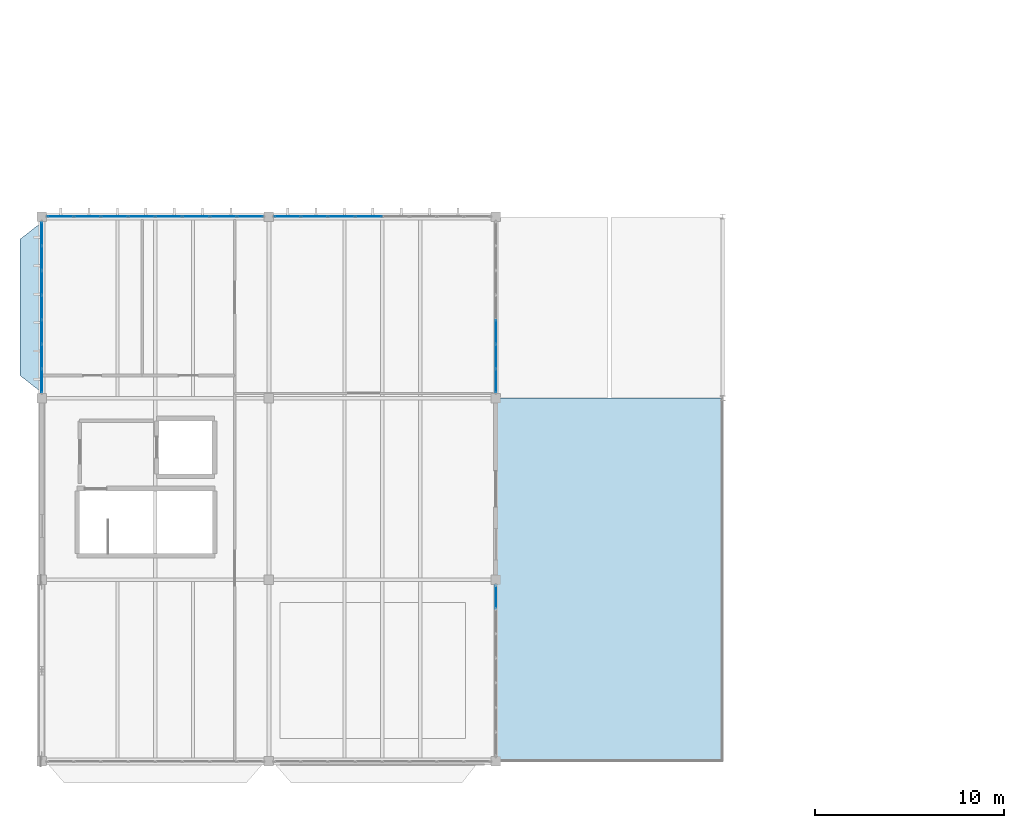
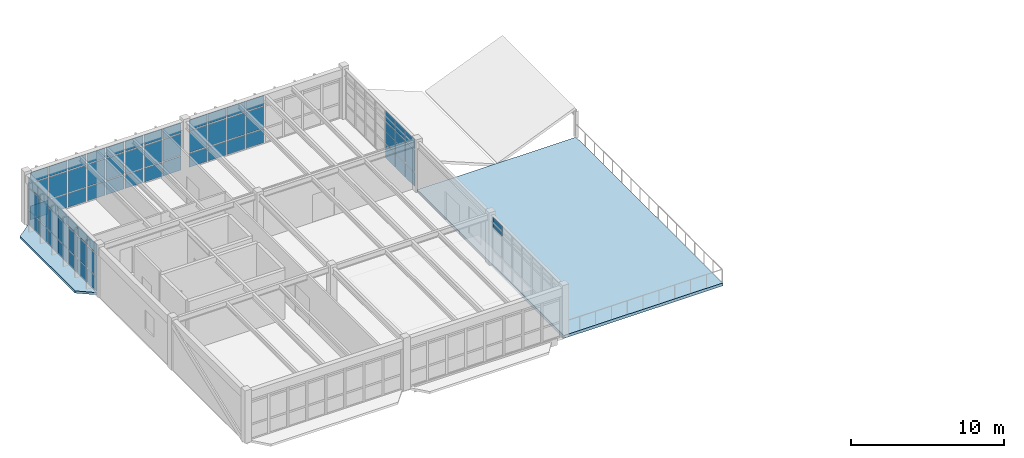
# One storey, part 60 of 83: 67 plates, 2 slabs, 5 elements without a shape of their own.
"""IFC4 building model written with IfcOpenShell, lengths in metres."""

from ifc_helpers import new_model, si_unit, direction, frame, origin, origin_2d, place, context, subcontext, project, spatial, polyline, rectangle, outline, extrude, material, layer, layer_set, type_object, element, aggregate, save


model = new_model("IFC4")

# Units and contexts
model_context = context("Model", 3, precision=1e-05, world=origin(), true_north=direction((0.0, 1.0)))
body_context = subcontext(model_context, "Body", "Model", "MODEL_VIEW")
ifc_project = project(units=[si_unit("LENGTHUNIT", "METRE"), si_unit("AREAUNIT", "SQUARE_METRE"), si_unit("VOLUMEUNIT", "CUBIC_METRE"), si_unit("PLANEANGLEUNIT", "RADIAN"), si_unit("MASSUNIT", "GRAM", prefix="KILO")], contexts=[model_context])

# Site, building, storey
site_placement = place(None, origin())
site = spatial("IfcSite", under=ifc_project, at=site_placement, CompositionType="ELEMENT")
building_placement = place(site_placement, origin())
building = spatial("IfcBuilding", under=site, at=building_placement, Name="Pandanus Reach Market Hall", CompositionType="ELEMENT")
storey_placement = place(building_placement, frame((0.0, 0.0, 10.199951171875)))
storey = spatial("IfcBuildingStorey", under=building, at=storey_placement, Name="L02", CompositionType="ELEMENT", Elevation=10.199951171875)

# Curtain wall, plates
ifc_material_1 = material(Name="Bronze anodised aluminium and low-E glass", Category="aluminium")
ifc_layer_1 = layer(ifc_material_1, 0.159912109375, Name="CW-22")
ifc_layer_set_1 = layer_set([ifc_layer_1], Name="Bronze anodised aluminium and low-E glass")
curtain_wall_type_1 = type_object("IfcCurtainWallType", Name="CW-22", PredefinedType="NOTDEFINED", material=ifc_layer_set_1)
curtain_wall_1_placement = place(storey_placement, origin())
curtain_wall_1 = element("IfcCurtainWall", 1, at=curtain_wall_1_placement, inside=storey, type_object=curtain_wall_type_1, Name="Glazed curtain wall CW-22 CW-0065", PredefinedType="NOTDEFINED")
ifc_material_2 = material(Name="Solar-control double glazing", Category="glass")
ifc_layer_2 = layer(ifc_material_2, 0.028076171875, Name="CW-P1")
ifc_layer_set_2 = layer_set([ifc_layer_2], Name="Solar-control double glazing")
plate_type = type_object("IfcPlateType", Name="CW-P1", PredefinedType="CURTAIN_PANEL", material=ifc_layer_set_2)
plate_1_placement = place(storey_placement, frame((0.985107421875, 28.800048828125, 0.06494140625), z_axis=(0.0, 0.0, 1.0), x_axis=(1.0, 0.0, 0.0)))
plate_1 = element("IfcPlate", 2, at=plate_1_placement, type_object=plate_type, Name="CW-22 panel 1.1", PredefinedType="CURTAIN_PANEL", context=body_context, shape_type="SweptSolid", body=[
    extrude(rectangle(XDim=1.340087890625, YDim=0.028076171875, at=origin_2d()), origin(), (0.0, 0.0, 1.0), 1.1025390625),
])
plate_2_placement = place(storey_placement, frame((0.985107421875, 28.800048828125, 1.232421875), z_axis=(0.0, 0.0, 1.0), x_axis=(1.0, 0.0, 0.0)))
plate_2 = element("IfcPlate", 3, at=plate_2_placement, type_object=plate_type, Name="CW-22 panel 1.2", PredefinedType="CURTAIN_PANEL", context=body_context, shape_type="SweptSolid", body=[
    extrude(rectangle(XDim=1.340087890625, YDim=0.028076171875, at=origin_2d()), origin(), (0.0, 0.0, 1.0), 1.735107421875),
])
plate_3_placement = place(storey_placement, frame((0.985107421875, 28.800048828125, 3.03271484375), z_axis=(0.0, 0.0, 1.0), x_axis=(1.0, 0.0, 0.0)))
plate_3 = element("IfcPlate", 4, at=plate_3_placement, type_object=plate_type, Name="CW-22 panel 1.3", PredefinedType="CURTAIN_PANEL", context=body_context, shape_type="SweptSolid", body=[
    extrude(rectangle(XDim=1.340087890625, YDim=0.028076171875, at=origin_2d()), origin(), (0.0, 0.0, 1.0), 0.802490234375),
])
plate_4_placement = place(storey_placement, frame((2.40625, 28.800048828125, 0.06494140625), z_axis=(0.0, 0.0, 1.0), x_axis=(1.0, 0.0, 0.0)))
plate_4 = element("IfcPlate", 5, at=plate_4_placement, type_object=plate_type, Name="CW-22 panel 2.1", PredefinedType="CURTAIN_PANEL", context=body_context, shape_type="SweptSolid", body=[
    extrude(rectangle(XDim=1.37255859375, YDim=0.028076171875, at=origin_2d()), origin(), (0.0, 0.0, 1.0), 1.1025390625),
])
plate_5_placement = place(storey_placement, frame((2.40625, 28.800048828125, 1.232421875), z_axis=(0.0, 0.0, 1.0), x_axis=(1.0, 0.0, 0.0)))
plate_5 = element("IfcPlate", 6, at=plate_5_placement, type_object=plate_type, Name="CW-22 panel 2.2", PredefinedType="CURTAIN_PANEL", context=body_context, shape_type="SweptSolid", body=[
    extrude(rectangle(XDim=1.37255859375, YDim=0.028076171875, at=origin_2d()), origin(), (0.0, 0.0, 1.0), 1.735107421875),
])
plate_6_placement = place(storey_placement, frame((2.40625, 28.800048828125, 3.03271484375), z_axis=(0.0, 0.0, 1.0), x_axis=(1.0, 0.0, 0.0)))
plate_6 = element("IfcPlate", 7, at=plate_6_placement, type_object=plate_type, Name="CW-22 panel 2.3", PredefinedType="CURTAIN_PANEL", context=body_context, shape_type="SweptSolid", body=[
    extrude(rectangle(XDim=1.37255859375, YDim=0.028076171875, at=origin_2d()), origin(), (0.0, 0.0, 1.0), 0.802490234375),
])
plate_7_placement = place(storey_placement, frame((3.84375, 28.800048828125, 0.06494140625), z_axis=(0.0, 0.0, 1.0), x_axis=(1.0, 0.0, 0.0)))
plate_7 = element("IfcPlate", 8, at=plate_7_placement, type_object=plate_type, Name="CW-22 panel 3.1", PredefinedType="CURTAIN_PANEL", context=body_context, shape_type="SweptSolid", body=[
    extrude(rectangle(XDim=1.37255859375, YDim=0.028076171875, at=origin_2d()), origin(), (0.0, 0.0, 1.0), 1.1025390625),
])
plate_8_placement = place(storey_placement, frame((3.84375, 28.800048828125, 1.232421875), z_axis=(0.0, 0.0, 1.0), x_axis=(1.0, 0.0, 0.0)))
plate_8 = element("IfcPlate", 9, at=plate_8_placement, type_object=plate_type, Name="CW-22 panel 3.2", PredefinedType="CURTAIN_PANEL", context=body_context, shape_type="SweptSolid", body=[
    extrude(rectangle(XDim=1.37255859375, YDim=0.028076171875, at=origin_2d()), origin(), (0.0, 0.0, 1.0), 1.735107421875),
])
plate_9_placement = place(storey_placement, frame((3.84375, 28.800048828125, 3.03271484375), z_axis=(0.0, 0.0, 1.0), x_axis=(1.0, 0.0, 0.0)))
plate_9 = element("IfcPlate", 10, at=plate_9_placement, type_object=plate_type, Name="CW-22 panel 3.3", PredefinedType="CURTAIN_PANEL", context=body_context, shape_type="SweptSolid", body=[
    extrude(rectangle(XDim=1.37255859375, YDim=0.028076171875, at=origin_2d()), origin(), (0.0, 0.0, 1.0), 0.802490234375),
])
plate_10_placement = place(storey_placement, frame((5.28125, 28.800048828125, 0.06494140625), z_axis=(0.0, 0.0, 1.0), x_axis=(1.0, 0.0, 0.0)))
plate_10 = element("IfcPlate", 11, at=plate_10_placement, type_object=plate_type, Name="CW-22 panel 4.1", PredefinedType="CURTAIN_PANEL", context=body_context, shape_type="SweptSolid", body=[
    extrude(rectangle(XDim=1.37255859375, YDim=0.028076171875, at=origin_2d()), origin(), (0.0, 0.0, 1.0), 1.1025390625),
])
plate_11_placement = place(storey_placement, frame((5.28125, 28.800048828125, 1.232421875), z_axis=(0.0, 0.0, 1.0), x_axis=(1.0, 0.0, 0.0)))
plate_11 = element("IfcPlate", 12, at=plate_11_placement, type_object=plate_type, Name="CW-22 panel 4.2", PredefinedType="CURTAIN_PANEL", context=body_context, shape_type="SweptSolid", body=[
    extrude(rectangle(XDim=1.37255859375, YDim=0.028076171875, at=origin_2d()), origin(), (0.0, 0.0, 1.0), 1.735107421875),
])
plate_12_placement = place(storey_placement, frame((5.28125, 28.800048828125, 3.03271484375), z_axis=(0.0, 0.0, 1.0), x_axis=(1.0, 0.0, 0.0)))
plate_12 = element("IfcPlate", 13, at=plate_12_placement, type_object=plate_type, Name="CW-22 panel 4.3", PredefinedType="CURTAIN_PANEL", context=body_context, shape_type="SweptSolid", body=[
    extrude(rectangle(XDim=1.37255859375, YDim=0.028076171875, at=origin_2d()), origin(), (0.0, 0.0, 1.0), 0.802490234375),
])
plate_13_placement = place(storey_placement, frame((6.71875, 28.800048828125, 0.06494140625), z_axis=(0.0, 0.0, 1.0), x_axis=(1.0, 0.0, 0.0)))
plate_13 = element("IfcPlate", 14, at=plate_13_placement, type_object=plate_type, Name="CW-22 panel 5.1", PredefinedType="CURTAIN_PANEL", context=body_context, shape_type="SweptSolid", body=[
    extrude(rectangle(XDim=1.37255859375, YDim=0.028076171875, at=origin_2d()), origin(), (0.0, 0.0, 1.0), 1.1025390625),
])
plate_14_placement = place(storey_placement, frame((6.71875, 28.800048828125, 1.232421875), z_axis=(0.0, 0.0, 1.0), x_axis=(1.0, 0.0, 0.0)))
plate_14 = element("IfcPlate", 15, at=plate_14_placement, type_object=plate_type, Name="CW-22 panel 5.2", PredefinedType="CURTAIN_PANEL", context=body_context, shape_type="SweptSolid", body=[
    extrude(rectangle(XDim=1.37255859375, YDim=0.028076171875, at=origin_2d()), origin(), (0.0, 0.0, 1.0), 1.735107421875),
])
plate_15_placement = place(storey_placement, frame((6.71875, 28.800048828125, 3.03271484375), z_axis=(0.0, 0.0, 1.0), x_axis=(1.0, 0.0, 0.0)))
plate_15 = element("IfcPlate", 16, at=plate_15_placement, type_object=plate_type, Name="CW-22 panel 5.3", PredefinedType="CURTAIN_PANEL", context=body_context, shape_type="SweptSolid", body=[
    extrude(rectangle(XDim=1.37255859375, YDim=0.028076171875, at=origin_2d()), origin(), (0.0, 0.0, 1.0), 0.802490234375),
])
plate_16_placement = place(storey_placement, frame((8.15625, 28.800048828125, 0.06494140625), z_axis=(0.0, 0.0, 1.0), x_axis=(1.0, 0.0, 0.0)))
plate_16 = element("IfcPlate", 17, at=plate_16_placement, type_object=plate_type, Name="CW-22 panel 6.1", PredefinedType="CURTAIN_PANEL", context=body_context, shape_type="SweptSolid", body=[
    extrude(rectangle(XDim=1.37255859375, YDim=0.028076171875, at=origin_2d()), origin(), (0.0, 0.0, 1.0), 1.1025390625),
])
plate_17_placement = place(storey_placement, frame((8.15625, 28.800048828125, 1.232421875), z_axis=(0.0, 0.0, 1.0), x_axis=(1.0, 0.0, 0.0)))
plate_17 = element("IfcPlate", 18, at=plate_17_placement, type_object=plate_type, Name="CW-22 panel 6.2", PredefinedType="CURTAIN_PANEL", context=body_context, shape_type="SweptSolid", body=[
    extrude(rectangle(XDim=1.37255859375, YDim=0.028076171875, at=origin_2d()), origin(), (0.0, 0.0, 1.0), 1.735107421875),
])
plate_18_placement = place(storey_placement, frame((8.15625, 28.800048828125, 3.03271484375), z_axis=(0.0, 0.0, 1.0), x_axis=(1.0, 0.0, 0.0)))
plate_18 = element("IfcPlate", 19, at=plate_18_placement, type_object=plate_type, Name="CW-22 panel 6.3", PredefinedType="CURTAIN_PANEL", context=body_context, shape_type="SweptSolid", body=[
    extrude(rectangle(XDim=1.37255859375, YDim=0.028076171875, at=origin_2d()), origin(), (0.0, 0.0, 1.0), 0.802490234375),
])
plate_19_placement = place(storey_placement, frame((9.59375, 28.800048828125, 0.06494140625), z_axis=(0.0, 0.0, 1.0), x_axis=(1.0, 0.0, 0.0)))
plate_19 = element("IfcPlate", 20, at=plate_19_placement, type_object=plate_type, Name="CW-22 panel 7.1", PredefinedType="CURTAIN_PANEL", context=body_context, shape_type="SweptSolid", body=[
    extrude(rectangle(XDim=1.37255859375, YDim=0.028076171875, at=origin_2d()), origin(), (0.0, 0.0, 1.0), 1.1025390625),
])
plate_20_placement = place(storey_placement, frame((9.59375, 28.800048828125, 1.232421875), z_axis=(0.0, 0.0, 1.0), x_axis=(1.0, 0.0, 0.0)))
plate_20 = element("IfcPlate", 21, at=plate_20_placement, type_object=plate_type, Name="CW-22 panel 7.2", PredefinedType="CURTAIN_PANEL", context=body_context, shape_type="SweptSolid", body=[
    extrude(rectangle(XDim=1.37255859375, YDim=0.028076171875, at=origin_2d()), origin(), (0.0, 0.0, 1.0), 1.735107421875),
])
plate_21_placement = place(storey_placement, frame((9.59375, 28.800048828125, 3.03271484375), z_axis=(0.0, 0.0, 1.0), x_axis=(1.0, 0.0, 0.0)))
plate_21 = element("IfcPlate", 22, at=plate_21_placement, type_object=plate_type, Name="CW-22 panel 7.3", PredefinedType="CURTAIN_PANEL", context=body_context, shape_type="SweptSolid", body=[
    extrude(rectangle(XDim=1.37255859375, YDim=0.028076171875, at=origin_2d()), origin(), (0.0, 0.0, 1.0), 0.802490234375),
])
plate_22_placement = place(storey_placement, frame((11.014892578125, 28.800048828125, 0.06494140625), z_axis=(0.0, 0.0, 1.0), x_axis=(1.0, 0.0, 0.0)))
plate_22 = element("IfcPlate", 23, at=plate_22_placement, type_object=plate_type, Name="CW-22 panel 8.1", PredefinedType="CURTAIN_PANEL", context=body_context, shape_type="SweptSolid", body=[
    extrude(rectangle(XDim=1.340087890625, YDim=0.028076171875, at=origin_2d()), origin(), (0.0, 0.0, 1.0), 1.1025390625),
])
plate_23_placement = place(storey_placement, frame((11.014892578125, 28.800048828125, 1.232421875), z_axis=(0.0, 0.0, 1.0), x_axis=(1.0, 0.0, 0.0)))
plate_23 = element("IfcPlate", 24, at=plate_23_placement, type_object=plate_type, Name="CW-22 panel 8.2", PredefinedType="CURTAIN_PANEL", context=body_context, shape_type="SweptSolid", body=[
    extrude(rectangle(XDim=1.340087890625, YDim=0.028076171875, at=origin_2d()), origin(), (0.0, 0.0, 1.0), 1.735107421875),
])
plate_24_placement = place(storey_placement, frame((11.014892578125, 28.800048828125, 3.03271484375), z_axis=(0.0, 0.0, 1.0), x_axis=(1.0, 0.0, 0.0)))
plate_24 = element("IfcPlate", 25, at=plate_24_placement, type_object=plate_type, Name="CW-22 panel 8.3", PredefinedType="CURTAIN_PANEL", context=body_context, shape_type="SweptSolid", body=[
    extrude(rectangle(XDim=1.340087890625, YDim=0.028076171875, at=origin_2d()), origin(), (0.0, 0.0, 1.0), 0.802490234375),
])
aggregate(curtain_wall_1, [plate_1, plate_2, plate_3, plate_4, plate_5, plate_6, plate_7, plate_8, plate_9, plate_10, plate_11, plate_12, plate_13, plate_14, plate_15, plate_16, plate_17, plate_18, plate_19, plate_20, plate_21, plate_22, plate_23, plate_24])

curtain_wall_2_placement = place(storey_placement, origin())
curtain_wall_2 = element("IfcCurtainWall", 26, at=curtain_wall_2_placement, inside=storey, type_object=curtain_wall_type_1, Name="Glazed curtain wall CW-22 CW-0066", PredefinedType="NOTDEFINED")
plate_25_placement = place(storey_placement, frame((12.985107421875, 28.800048828125, 0.06494140625), z_axis=(0.0, 0.0, 1.0), x_axis=(1.0, 0.0, 0.0)))
plate_25 = element("IfcPlate", 27, at=plate_25_placement, type_object=plate_type, Name="CW-22 panel 1.1", PredefinedType="CURTAIN_PANEL", context=body_context, shape_type="SweptSolid", body=[
    extrude(rectangle(XDim=1.340087890625, YDim=0.028076171875, at=origin_2d()), origin(), (0.0, 0.0, 1.0), 1.1025390625),
])
plate_26_placement = place(storey_placement, frame((12.985107421875, 28.800048828125, 1.232421875), z_axis=(0.0, 0.0, 1.0), x_axis=(1.0, 0.0, 0.0)))
plate_26 = element("IfcPlate", 28, at=plate_26_placement, type_object=plate_type, Name="CW-22 panel 1.2", PredefinedType="CURTAIN_PANEL", context=body_context, shape_type="SweptSolid", body=[
    extrude(rectangle(XDim=1.340087890625, YDim=0.028076171875, at=origin_2d()), origin(), (0.0, 0.0, 1.0), 1.735107421875),
])
plate_27_placement = place(storey_placement, frame((12.985107421875, 28.800048828125, 3.03271484375), z_axis=(0.0, 0.0, 1.0), x_axis=(1.0, 0.0, 0.0)))
plate_27 = element("IfcPlate", 29, at=plate_27_placement, type_object=plate_type, Name="CW-22 panel 1.3", PredefinedType="CURTAIN_PANEL", context=body_context, shape_type="SweptSolid", body=[
    extrude(rectangle(XDim=1.340087890625, YDim=0.028076171875, at=origin_2d()), origin(), (0.0, 0.0, 1.0), 0.802490234375),
])
plate_28_placement = place(storey_placement, frame((14.40625, 28.800048828125, 0.06494140625), z_axis=(0.0, 0.0, 1.0), x_axis=(1.0, 0.0, 0.0)))
plate_28 = element("IfcPlate", 30, at=plate_28_placement, type_object=plate_type, Name="CW-22 panel 2.1", PredefinedType="CURTAIN_PANEL", context=body_context, shape_type="SweptSolid", body=[
    extrude(rectangle(XDim=1.37255859375, YDim=0.028076171875, at=origin_2d()), origin(), (0.0, 0.0, 1.0), 1.1025390625),
])
plate_29_placement = place(storey_placement, frame((14.40625, 28.800048828125, 1.232421875), z_axis=(0.0, 0.0, 1.0), x_axis=(1.0, 0.0, 0.0)))
plate_29 = element("IfcPlate", 31, at=plate_29_placement, type_object=plate_type, Name="CW-22 panel 2.2", PredefinedType="CURTAIN_PANEL", context=body_context, shape_type="SweptSolid", body=[
    extrude(rectangle(XDim=1.37255859375, YDim=0.028076171875, at=origin_2d()), origin(), (0.0, 0.0, 1.0), 1.735107421875),
])
plate_30_placement = place(storey_placement, frame((14.40625, 28.800048828125, 3.03271484375), z_axis=(0.0, 0.0, 1.0), x_axis=(1.0, 0.0, 0.0)))
plate_30 = element("IfcPlate", 32, at=plate_30_placement, type_object=plate_type, Name="CW-22 panel 2.3", PredefinedType="CURTAIN_PANEL", context=body_context, shape_type="SweptSolid", body=[
    extrude(rectangle(XDim=1.37255859375, YDim=0.028076171875, at=origin_2d()), origin(), (0.0, 0.0, 1.0), 0.802490234375),
])
plate_31_placement = place(storey_placement, frame((15.84375, 28.800048828125, 0.06494140625), z_axis=(0.0, 0.0, 1.0), x_axis=(1.0, 0.0, 0.0)))
plate_31 = element("IfcPlate", 33, at=plate_31_placement, type_object=plate_type, Name="CW-22 panel 3.1", PredefinedType="CURTAIN_PANEL", context=body_context, shape_type="SweptSolid", body=[
    extrude(rectangle(XDim=1.37255859375, YDim=0.028076171875, at=origin_2d()), origin(), (0.0, 0.0, 1.0), 1.1025390625),
])
plate_32_placement = place(storey_placement, frame((15.84375, 28.800048828125, 1.232421875), z_axis=(0.0, 0.0, 1.0), x_axis=(1.0, 0.0, 0.0)))
plate_32 = element("IfcPlate", 34, at=plate_32_placement, type_object=plate_type, Name="CW-22 panel 3.2", PredefinedType="CURTAIN_PANEL", context=body_context, shape_type="SweptSolid", body=[
    extrude(rectangle(XDim=1.37255859375, YDim=0.028076171875, at=origin_2d()), origin(), (0.0, 0.0, 1.0), 1.735107421875),
])
plate_33_placement = place(storey_placement, frame((15.84375, 28.800048828125, 3.03271484375), z_axis=(0.0, 0.0, 1.0), x_axis=(1.0, 0.0, 0.0)))
plate_33 = element("IfcPlate", 35, at=plate_33_placement, type_object=plate_type, Name="CW-22 panel 3.3", PredefinedType="CURTAIN_PANEL", context=body_context, shape_type="SweptSolid", body=[
    extrude(rectangle(XDim=1.37255859375, YDim=0.028076171875, at=origin_2d()), origin(), (0.0, 0.0, 1.0), 0.802490234375),
])
plate_34_placement = place(storey_placement, frame((17.28125, 28.800048828125, 0.06494140625), z_axis=(0.0, 0.0, 1.0), x_axis=(1.0, 0.0, 0.0)))
plate_34 = element("IfcPlate", 36, at=plate_34_placement, type_object=plate_type, Name="CW-22 panel 4.1", PredefinedType="CURTAIN_PANEL", context=body_context, shape_type="SweptSolid", body=[
    extrude(rectangle(XDim=1.37255859375, YDim=0.028076171875, at=origin_2d()), origin(), (0.0, 0.0, 1.0), 1.1025390625),
])
plate_35_placement = place(storey_placement, frame((17.28125, 28.800048828125, 1.232421875), z_axis=(0.0, 0.0, 1.0), x_axis=(1.0, 0.0, 0.0)))
plate_35 = element("IfcPlate", 37, at=plate_35_placement, type_object=plate_type, Name="CW-22 panel 4.2", PredefinedType="CURTAIN_PANEL", context=body_context, shape_type="SweptSolid", body=[
    extrude(rectangle(XDim=1.37255859375, YDim=0.028076171875, at=origin_2d()), origin(), (0.0, 0.0, 1.0), 1.735107421875),
])
plate_36_placement = place(storey_placement, frame((17.28125, 28.800048828125, 3.03271484375), z_axis=(0.0, 0.0, 1.0), x_axis=(1.0, 0.0, 0.0)))
plate_36 = element("IfcPlate", 38, at=plate_36_placement, type_object=plate_type, Name="CW-22 panel 4.3", PredefinedType="CURTAIN_PANEL", context=body_context, shape_type="SweptSolid", body=[
    extrude(rectangle(XDim=1.37255859375, YDim=0.028076171875, at=origin_2d()), origin(), (0.0, 0.0, 1.0), 0.802490234375),
])
aggregate(curtain_wall_2, [plate_25, plate_26, plate_27, plate_28, plate_29, plate_30, plate_31, plate_32, plate_33, plate_34, plate_35, plate_36])

ifc_layer_3 = layer(ifc_material_1, 0.159912109375, Name="CW-23")
ifc_layer_set_3 = layer_set([ifc_layer_3], Name="Bronze anodised aluminium and low-E glass")
curtain_wall_type_2 = type_object("IfcCurtainWallType", Name="CW-23", PredefinedType="NOTDEFINED", material=ifc_layer_set_3)
curtain_wall_3_placement = place(storey_placement, origin())
curtain_wall_3 = element("IfcCurtainWall", 39, at=curtain_wall_3_placement, inside=storey, type_object=curtain_wall_type_2, Name="Glazed curtain wall CW-23 CW-0067", PredefinedType="NOTDEFINED")
plate_37_placement = place(storey_placement, frame((0.0, 20.1162109375, 0.06494140625), z_axis=(0.0, 0.0, 1.0), x_axis=(0.0, 1.0, 0.0)))
plate_37 = element("IfcPlate", 40, at=plate_37_placement, type_object=plate_type, Name="CW-23 panel 1.1", PredefinedType="CURTAIN_PANEL", context=body_context, shape_type="SweptSolid", body=[
    extrude(rectangle(XDim=1.202392578125, YDim=0.028076171875, at=origin_2d()), origin(), (0.0, 0.0, 1.0), 1.1025390625),
])
plate_38_placement = place(storey_placement, frame((0.0, 20.1162109375, 1.232421875), z_axis=(0.0, 0.0, 1.0), x_axis=(0.0, 1.0, 0.0)))
plate_38 = element("IfcPlate", 41, at=plate_38_placement, type_object=plate_type, Name="CW-23 panel 1.2", PredefinedType="CURTAIN_PANEL", context=body_context, shape_type="SweptSolid", body=[
    extrude(rectangle(XDim=1.202392578125, YDim=0.028076171875, at=origin_2d()), origin(), (0.0, 0.0, 1.0), 1.735107421875),
])
plate_39_placement = place(storey_placement, frame((0.0, 20.1162109375, 3.03271484375), z_axis=(0.0, 0.0, 1.0), x_axis=(0.0, 1.0, 0.0)))
plate_39 = element("IfcPlate", 42, at=plate_39_placement, type_object=plate_type, Name="CW-23 panel 1.3", PredefinedType="CURTAIN_PANEL", context=body_context, shape_type="SweptSolid", body=[
    extrude(rectangle(XDim=1.202392578125, YDim=0.028076171875, at=origin_2d()), origin(), (0.0, 0.0, 1.0), 0.802490234375),
])
plate_40_placement = place(storey_placement, frame((0.0, 21.39990234375, 0.06494140625), z_axis=(0.0, 0.0, 1.0), x_axis=(0.0, 1.0, 0.0)))
plate_40 = element("IfcPlate", 43, at=plate_40_placement, type_object=plate_type, Name="CW-23 panel 2.1", PredefinedType="CURTAIN_PANEL", context=body_context, shape_type="SweptSolid", body=[
    extrude(rectangle(XDim=1.235107421875, YDim=0.028076171875, at=origin_2d()), origin(), (0.0, 0.0, 1.0), 1.1025390625),
])
plate_41_placement = place(storey_placement, frame((0.0, 21.39990234375, 1.232421875), z_axis=(0.0, 0.0, 1.0), x_axis=(0.0, 1.0, 0.0)))
plate_41 = element("IfcPlate", 44, at=plate_41_placement, type_object=plate_type, Name="CW-23 panel 2.2", PredefinedType="CURTAIN_PANEL", context=body_context, shape_type="SweptSolid", body=[
    extrude(rectangle(XDim=1.235107421875, YDim=0.028076171875, at=origin_2d()), origin(), (0.0, 0.0, 1.0), 1.735107421875),
])
plate_42_placement = place(storey_placement, frame((0.0, 21.39990234375, 3.03271484375), z_axis=(0.0, 0.0, 1.0), x_axis=(0.0, 1.0, 0.0)))
plate_42 = element("IfcPlate", 45, at=plate_42_placement, type_object=plate_type, Name="CW-23 panel 2.3", PredefinedType="CURTAIN_PANEL", context=body_context, shape_type="SweptSolid", body=[
    extrude(rectangle(XDim=1.235107421875, YDim=0.028076171875, at=origin_2d()), origin(), (0.0, 0.0, 1.0), 0.802490234375),
])
plate_43_placement = place(storey_placement, frame((0.0, 22.699951171875, 0.06494140625), z_axis=(0.0, 0.0, 1.0), x_axis=(0.0, 1.0, 0.0)))
plate_43 = element("IfcPlate", 46, at=plate_43_placement, type_object=plate_type, Name="CW-23 panel 3.1", PredefinedType="CURTAIN_PANEL", context=body_context, shape_type="SweptSolid", body=[
    extrude(rectangle(XDim=1.235107421875, YDim=0.028076171875, at=origin_2d()), origin(), (0.0, 0.0, 1.0), 1.1025390625),
])
plate_44_placement = place(storey_placement, frame((0.0, 22.699951171875, 1.232421875), z_axis=(0.0, 0.0, 1.0), x_axis=(0.0, 1.0, 0.0)))
plate_44 = element("IfcPlate", 47, at=plate_44_placement, type_object=plate_type, Name="CW-23 panel 3.2", PredefinedType="CURTAIN_PANEL", context=body_context, shape_type="SweptSolid", body=[
    extrude(rectangle(XDim=1.235107421875, YDim=0.028076171875, at=origin_2d()), origin(), (0.0, 0.0, 1.0), 1.735107421875),
])
plate_45_placement = place(storey_placement, frame((0.0, 22.699951171875, 3.03271484375), z_axis=(0.0, 0.0, 1.0), x_axis=(0.0, 1.0, 0.0)))
plate_45 = element("IfcPlate", 48, at=plate_45_placement, type_object=plate_type, Name="CW-23 panel 3.3", PredefinedType="CURTAIN_PANEL", context=body_context, shape_type="SweptSolid", body=[
    extrude(rectangle(XDim=1.235107421875, YDim=0.028076171875, at=origin_2d()), origin(), (0.0, 0.0, 1.0), 0.802490234375),
])
plate_46_placement = place(storey_placement, frame((0.0, 24.0, 0.06494140625), z_axis=(0.0, 0.0, 1.0), x_axis=(0.0, 1.0, 0.0)))
plate_46 = element("IfcPlate", 49, at=plate_46_placement, type_object=plate_type, Name="CW-23 panel 4.1", PredefinedType="CURTAIN_PANEL", context=body_context, shape_type="SweptSolid", body=[
    extrude(rectangle(XDim=1.235107421875, YDim=0.028076171875, at=origin_2d()), origin(), (0.0, 0.0, 1.0), 1.1025390625),
])
plate_47_placement = place(storey_placement, frame((0.0, 24.0, 1.232421875), z_axis=(0.0, 0.0, 1.0), x_axis=(0.0, 1.0, 0.0)))
plate_47 = element("IfcPlate", 50, at=plate_47_placement, type_object=plate_type, Name="CW-23 panel 4.2", PredefinedType="CURTAIN_PANEL", context=body_context, shape_type="SweptSolid", body=[
    extrude(rectangle(XDim=1.235107421875, YDim=0.028076171875, at=origin_2d()), origin(), (0.0, 0.0, 1.0), 1.735107421875),
])
plate_48_placement = place(storey_placement, frame((0.0, 24.0, 3.03271484375), z_axis=(0.0, 0.0, 1.0), x_axis=(0.0, 1.0, 0.0)))
plate_48 = element("IfcPlate", 51, at=plate_48_placement, type_object=plate_type, Name="CW-23 panel 4.3", PredefinedType="CURTAIN_PANEL", context=body_context, shape_type="SweptSolid", body=[
    extrude(rectangle(XDim=1.235107421875, YDim=0.028076171875, at=origin_2d()), origin(), (0.0, 0.0, 1.0), 0.802490234375),
])
plate_49_placement = place(storey_placement, frame((0.0, 25.300048828125, 0.06494140625), z_axis=(0.0, 0.0, 1.0), x_axis=(0.0, 1.0, 0.0)))
plate_49 = element("IfcPlate", 52, at=plate_49_placement, type_object=plate_type, Name="CW-23 panel 5.1", PredefinedType="CURTAIN_PANEL", context=body_context, shape_type="SweptSolid", body=[
    extrude(rectangle(XDim=1.235107421875, YDim=0.028076171875, at=origin_2d()), origin(), (0.0, 0.0, 1.0), 1.1025390625),
])
plate_50_placement = place(storey_placement, frame((0.0, 25.300048828125, 1.232421875), z_axis=(0.0, 0.0, 1.0), x_axis=(0.0, 1.0, 0.0)))
plate_50 = element("IfcPlate", 53, at=plate_50_placement, type_object=plate_type, Name="CW-23 panel 5.2", PredefinedType="CURTAIN_PANEL", context=body_context, shape_type="SweptSolid", body=[
    extrude(rectangle(XDim=1.235107421875, YDim=0.028076171875, at=origin_2d()), origin(), (0.0, 0.0, 1.0), 1.735107421875),
])
plate_51_placement = place(storey_placement, frame((0.0, 25.300048828125, 3.03271484375), z_axis=(0.0, 0.0, 1.0), x_axis=(0.0, 1.0, 0.0)))
plate_51 = element("IfcPlate", 54, at=plate_51_placement, type_object=plate_type, Name="CW-23 panel 5.3", PredefinedType="CURTAIN_PANEL", context=body_context, shape_type="SweptSolid", body=[
    extrude(rectangle(XDim=1.235107421875, YDim=0.028076171875, at=origin_2d()), origin(), (0.0, 0.0, 1.0), 0.802490234375),
])
plate_52_placement = place(storey_placement, frame((0.0, 26.60009765625, 0.06494140625), z_axis=(0.0, 0.0, 1.0), x_axis=(0.0, 1.0, 0.0)))
plate_52 = element("IfcPlate", 55, at=plate_52_placement, type_object=plate_type, Name="CW-23 panel 6.1", PredefinedType="CURTAIN_PANEL", context=body_context, shape_type="SweptSolid", body=[
    extrude(rectangle(XDim=1.235107421875, YDim=0.028076171875, at=origin_2d()), origin(), (0.0, 0.0, 1.0), 1.1025390625),
])
plate_53_placement = place(storey_placement, frame((0.0, 26.60009765625, 1.232421875), z_axis=(0.0, 0.0, 1.0), x_axis=(0.0, 1.0, 0.0)))
plate_53 = element("IfcPlate", 56, at=plate_53_placement, type_object=plate_type, Name="CW-23 panel 6.2", PredefinedType="CURTAIN_PANEL", context=body_context, shape_type="SweptSolid", body=[
    extrude(rectangle(XDim=1.235107421875, YDim=0.028076171875, at=origin_2d()), origin(), (0.0, 0.0, 1.0), 1.735107421875),
])
plate_54_placement = place(storey_placement, frame((0.0, 26.60009765625, 3.03271484375), z_axis=(0.0, 0.0, 1.0), x_axis=(0.0, 1.0, 0.0)))
plate_54 = element("IfcPlate", 57, at=plate_54_placement, type_object=plate_type, Name="CW-23 panel 6.3", PredefinedType="CURTAIN_PANEL", context=body_context, shape_type="SweptSolid", body=[
    extrude(rectangle(XDim=1.235107421875, YDim=0.028076171875, at=origin_2d()), origin(), (0.0, 0.0, 1.0), 0.802490234375),
])
plate_55_placement = place(storey_placement, frame((0.0, 27.8837890625, 0.06494140625), z_axis=(0.0, 0.0, 1.0), x_axis=(0.0, 1.0, 0.0)))
plate_55 = element("IfcPlate", 58, at=plate_55_placement, type_object=plate_type, Name="CW-23 panel 7.1", PredefinedType="CURTAIN_PANEL", context=body_context, shape_type="SweptSolid", body=[
    extrude(rectangle(XDim=1.202392578125, YDim=0.028076171875, at=origin_2d()), origin(), (0.0, 0.0, 1.0), 1.1025390625),
])
plate_56_placement = place(storey_placement, frame((0.0, 27.8837890625, 1.232421875), z_axis=(0.0, 0.0, 1.0), x_axis=(0.0, 1.0, 0.0)))
plate_56 = element("IfcPlate", 59, at=plate_56_placement, type_object=plate_type, Name="CW-23 panel 7.2", PredefinedType="CURTAIN_PANEL", context=body_context, shape_type="SweptSolid", body=[
    extrude(rectangle(XDim=1.202392578125, YDim=0.028076171875, at=origin_2d()), origin(), (0.0, 0.0, 1.0), 1.735107421875),
])
plate_57_placement = place(storey_placement, frame((0.0, 27.8837890625, 3.03271484375), z_axis=(0.0, 0.0, 1.0), x_axis=(0.0, 1.0, 0.0)))
plate_57 = element("IfcPlate", 60, at=plate_57_placement, type_object=plate_type, Name="CW-23 panel 7.3", PredefinedType="CURTAIN_PANEL", context=body_context, shape_type="SweptSolid", body=[
    extrude(rectangle(XDim=1.202392578125, YDim=0.028076171875, at=origin_2d()), origin(), (0.0, 0.0, 1.0), 0.802490234375),
])
aggregate(curtain_wall_3, [plate_37, plate_38, plate_39, plate_40, plate_41, plate_42, plate_43, plate_44, plate_45, plate_46, plate_47, plate_48, plate_49, plate_50, plate_51, plate_52, plate_53, plate_54, plate_55, plate_56, plate_57])

# Curtain wall, plate
ifc_layer_4 = layer(ifc_material_1, 0.159912109375, Name="CW-24")
ifc_layer_set_4 = layer_set([ifc_layer_4], Name="Bronze anodised aluminium and low-E glass")
curtain_wall_type_3 = type_object("IfcCurtainWallType", Name="CW-24", PredefinedType="NOTDEFINED", material=ifc_layer_set_4)
curtain_wall_4_placement = place(storey_placement, origin())
curtain_wall_4 = element("IfcCurtainWall", 61, at=curtain_wall_4_placement, inside=storey, type_object=curtain_wall_type_3, Name="Glazed curtain wall CW-24 CW-0068", PredefinedType="NOTDEFINED")
plate_58_placement = place(storey_placement, frame((24.0, 8.683837890625, 3.03271484375), z_axis=(0.0, 0.0, 1.0), x_axis=(0.0, 1.0, 0.0)))
plate_58 = element("IfcPlate", 62, at=plate_58_placement, type_object=plate_type, Name="CW-24 panel 7.3", PredefinedType="CURTAIN_PANEL", context=body_context, shape_type="SweptSolid", body=[
    extrude(rectangle(XDim=1.202392578125, YDim=0.028076171875, at=origin_2d()), origin(), (0.0, 0.0, 1.0), 0.802490234375),
])
aggregate(curtain_wall_4, [plate_58])

# Curtain wall, plates
curtain_wall_5_placement = place(storey_placement, origin())
curtain_wall_5 = element("IfcCurtainWall", 63, at=curtain_wall_5_placement, inside=storey, type_object=curtain_wall_type_3, Name="Glazed curtain wall CW-24 CW-0069", PredefinedType="NOTDEFINED")
plate_59_placement = place(storey_placement, frame((24.0, 20.1162109375, 0.06494140625), z_axis=(0.0, 0.0, 1.0), x_axis=(0.0, 1.0, 0.0)))
plate_59 = element("IfcPlate", 64, at=plate_59_placement, type_object=plate_type, Name="CW-24 panel 1.1", PredefinedType="CURTAIN_PANEL", context=body_context, shape_type="SweptSolid", body=[
    extrude(rectangle(XDim=1.202392578125, YDim=0.028076171875, at=origin_2d()), origin(), (0.0, 0.0, 1.0), 1.1025390625),
])
plate_60_placement = place(storey_placement, frame((24.0, 20.1162109375, 1.232421875), z_axis=(0.0, 0.0, 1.0), x_axis=(0.0, 1.0, 0.0)))
plate_60 = element("IfcPlate", 65, at=plate_60_placement, type_object=plate_type, Name="CW-24 panel 1.2", PredefinedType="CURTAIN_PANEL", context=body_context, shape_type="SweptSolid", body=[
    extrude(rectangle(XDim=1.202392578125, YDim=0.028076171875, at=origin_2d()), origin(), (0.0, 0.0, 1.0), 1.735107421875),
])
plate_61_placement = place(storey_placement, frame((24.0, 20.1162109375, 3.03271484375), z_axis=(0.0, 0.0, 1.0), x_axis=(0.0, 1.0, 0.0)))
plate_61 = element("IfcPlate", 66, at=plate_61_placement, type_object=plate_type, Name="CW-24 panel 1.3", PredefinedType="CURTAIN_PANEL", context=body_context, shape_type="SweptSolid", body=[
    extrude(rectangle(XDim=1.202392578125, YDim=0.028076171875, at=origin_2d()), origin(), (0.0, 0.0, 1.0), 0.802490234375),
])
plate_62_placement = place(storey_placement, frame((24.0, 21.39990234375, 0.06494140625), z_axis=(0.0, 0.0, 1.0), x_axis=(0.0, 1.0, 0.0)))
plate_62 = element("IfcPlate", 67, at=plate_62_placement, type_object=plate_type, Name="CW-24 panel 2.1", PredefinedType="CURTAIN_PANEL", context=body_context, shape_type="SweptSolid", body=[
    extrude(rectangle(XDim=1.235107421875, YDim=0.028076171875, at=origin_2d()), origin(), (0.0, 0.0, 1.0), 1.1025390625),
])
plate_63_placement = place(storey_placement, frame((24.0, 21.39990234375, 1.232421875), z_axis=(0.0, 0.0, 1.0), x_axis=(0.0, 1.0, 0.0)))
plate_63 = element("IfcPlate", 68, at=plate_63_placement, type_object=plate_type, Name="CW-24 panel 2.2", PredefinedType="CURTAIN_PANEL", context=body_context, shape_type="SweptSolid", body=[
    extrude(rectangle(XDim=1.235107421875, YDim=0.028076171875, at=origin_2d()), origin(), (0.0, 0.0, 1.0), 1.735107421875),
])
plate_64_placement = place(storey_placement, frame((24.0, 21.39990234375, 3.03271484375), z_axis=(0.0, 0.0, 1.0), x_axis=(0.0, 1.0, 0.0)))
plate_64 = element("IfcPlate", 69, at=plate_64_placement, type_object=plate_type, Name="CW-24 panel 2.3", PredefinedType="CURTAIN_PANEL", context=body_context, shape_type="SweptSolid", body=[
    extrude(rectangle(XDim=1.235107421875, YDim=0.028076171875, at=origin_2d()), origin(), (0.0, 0.0, 1.0), 0.802490234375),
])
plate_65_placement = place(storey_placement, frame((24.0, 22.699951171875, 0.06494140625), z_axis=(0.0, 0.0, 1.0), x_axis=(0.0, 1.0, 0.0)))
plate_65 = element("IfcPlate", 70, at=plate_65_placement, type_object=plate_type, Name="CW-24 panel 3.1", PredefinedType="CURTAIN_PANEL", context=body_context, shape_type="SweptSolid", body=[
    extrude(rectangle(XDim=1.235107421875, YDim=0.028076171875, at=origin_2d()), origin(), (0.0, 0.0, 1.0), 1.1025390625),
])
plate_66_placement = place(storey_placement, frame((24.0, 22.699951171875, 1.232421875), z_axis=(0.0, 0.0, 1.0), x_axis=(0.0, 1.0, 0.0)))
plate_66 = element("IfcPlate", 71, at=plate_66_placement, type_object=plate_type, Name="CW-24 panel 3.2", PredefinedType="CURTAIN_PANEL", context=body_context, shape_type="SweptSolid", body=[
    extrude(rectangle(XDim=1.235107421875, YDim=0.028076171875, at=origin_2d()), origin(), (0.0, 0.0, 1.0), 1.735107421875),
])
plate_67_placement = place(storey_placement, frame((24.0, 22.699951171875, 3.03271484375), z_axis=(0.0, 0.0, 1.0), x_axis=(0.0, 1.0, 0.0)))
plate_67 = element("IfcPlate", 72, at=plate_67_placement, type_object=plate_type, Name="CW-24 panel 3.3", PredefinedType="CURTAIN_PANEL", context=body_context, shape_type="SweptSolid", body=[
    extrude(rectangle(XDim=1.235107421875, YDim=0.028076171875, at=origin_2d()), origin(), (0.0, 0.0, 1.0), 0.802490234375),
])
aggregate(curtain_wall_5, [plate_59, plate_60, plate_61, plate_62, plate_63, plate_64, plate_65, plate_66, plate_67])

# Slabs
ifc_material_3 = material(Name="Concrete N50 (50 MPa)", Category="concrete")
ifc_layer_5 = layer(ifc_material_3, 0.179931640625, Name="RF-CNP-180")
ifc_layer_set_5 = layer_set([ifc_layer_5], Name="Concrete N50 (50 MPa)")
slab_type_1 = type_object("IfcSlabType", Name="RF-CNP-180", PredefinedType="ROOF", material=ifc_layer_set_5)
slab_1_placement = place(storey_placement, frame((0.0, 0.0, -0.179931640625)))
element("IfcSlab", 73, at=slab_1_placement, inside=storey, type_object=slab_type_1, Name="Sculpted concrete brise-soleil hood 7", PredefinedType="ROOF", context=body_context, shape_type="SweptSolid", body=[
    extrude(outline(polyline([(0.0, 19.5), (0.0, 28.5), (-1.14990234375, 27.60009765625), (-1.14990234375, 20.39990234375), (0.0, 19.5)])), origin(), (0.0, 0.0, 1.0), 0.179931640625),
])
ifc_material_4 = material(Name="Concrete N40 (40 MPa)", Category="concrete")
ifc_layer_6 = layer(ifc_material_4, 0.235107421875, Name="SL-EXT-VER")
ifc_layer_set_6 = layer_set([ifc_layer_6], Name="Concrete N40 (40 MPa)")
slab_type_2 = type_object("IfcSlabType", Name="SL-EXT-VER", PredefinedType="FLOOR", material=ifc_layer_set_6)
slab_2_placement = place(storey_placement, frame((0.0, 0.0, -0.23486328125)))
element("IfcSlab", 74, at=slab_2_placement, inside=storey, type_object=slab_type_2, Name="Upper Park-View Verandah Terrace L02", PredefinedType="FLOOR", context=body_context, shape_type="SweptSolid", body=[
    extrude(outline(polyline([(24.0, 0.0), (36.0, 0.0), (36.0, 19.199951171875), (24.0, 19.199951171875), (24.0, 0.0)])), origin(), (0.0, 0.0, 1.0), 0.23486328125),
])

save(model, "model.ifc")
